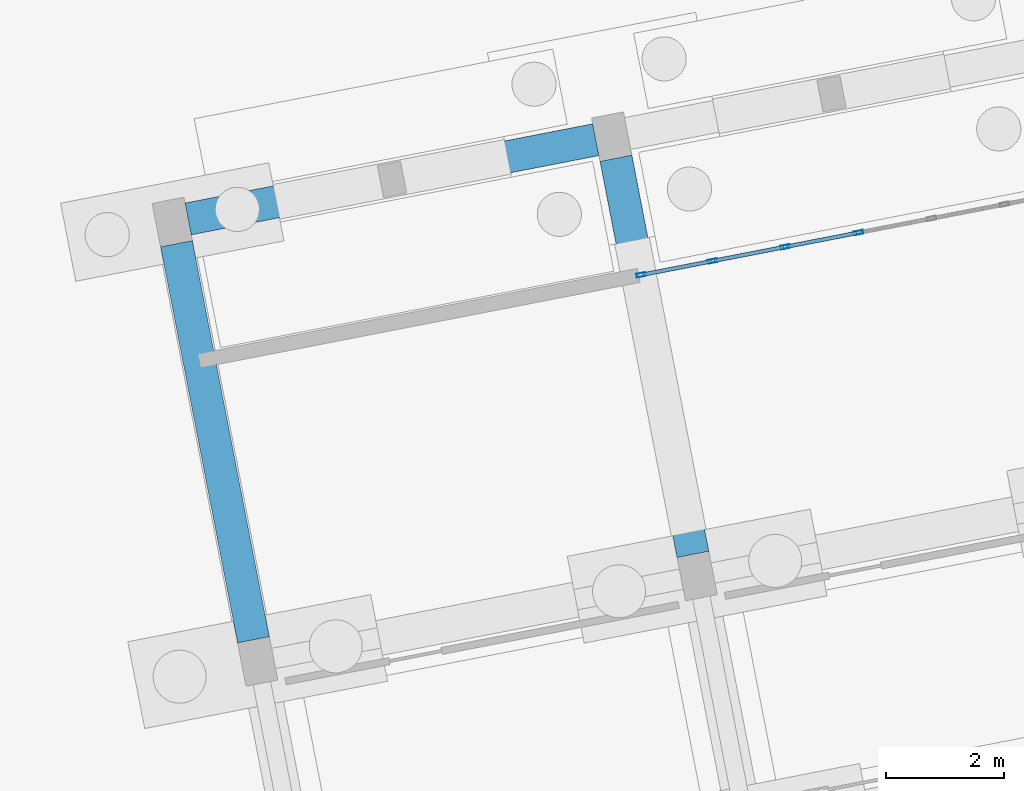
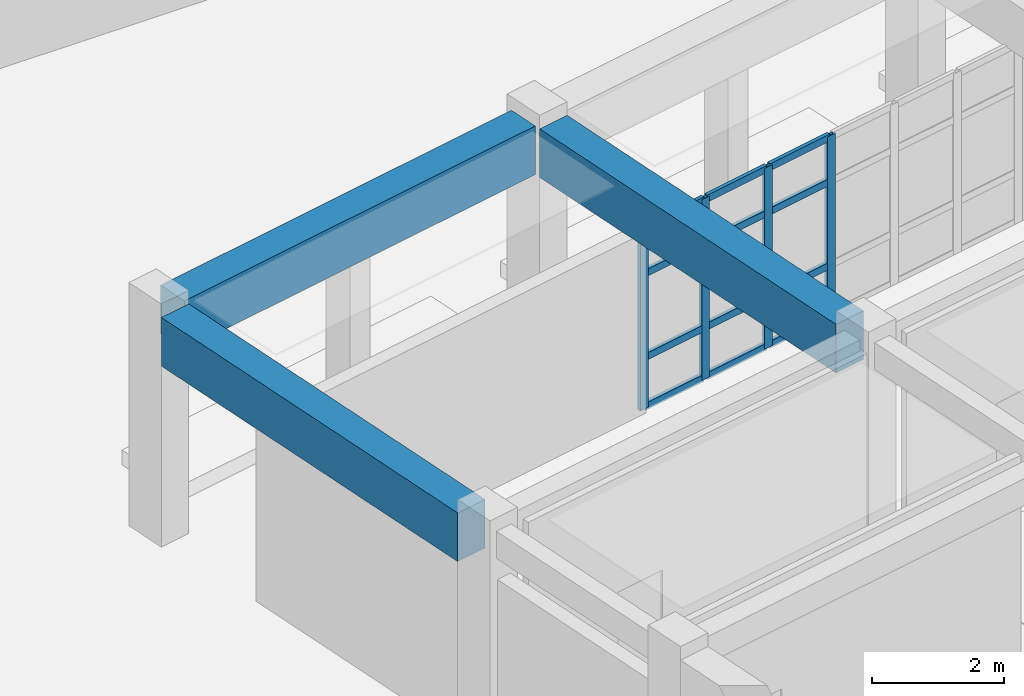
# One storey, part 57 of 154: 16 members, 3 beams, 1 element without a shape of its own.
"""IFC4 building model written with IfcOpenShell, lengths in metres."""

from ifc_helpers import new_model, si_unit, direction, frame, origin, origin_2d, place, context, subcontext, project, spatial, rectangle, hollow_rectangle, extrude, material, material_profile, profile_set, type_object, element, aggregate, save


model = new_model("IFC4")

# Units and contexts
model_context = context("Model", 3, precision=1e-05, world=origin(), true_north=direction((0.0, 1.0)))
body_context = subcontext(model_context, "Body", "Model", "MODEL_VIEW")
ifc_project = project(units=[si_unit("LENGTHUNIT", "METRE"), si_unit("AREAUNIT", "SQUARE_METRE"), si_unit("VOLUMEUNIT", "CUBIC_METRE"), si_unit("PLANEANGLEUNIT", "RADIAN"), si_unit("MASSUNIT", "GRAM", prefix="KILO")], contexts=[model_context])

# Site, building, storey
site_placement = place(None, origin())
site = spatial("IfcSite", under=ifc_project, at=site_placement, CompositionType="ELEMENT")
building_placement = place(site_placement, origin())
building = spatial("IfcBuilding", under=site, at=building_placement, Name="Kestramere Prow Commons", CompositionType="ELEMENT")
storey_placement = place(building_placement, origin())
storey = spatial("IfcBuildingStorey", under=building, at=storey_placement, Name="L00", CompositionType="ELEMENT", Elevation=0.0)

# Curtain wall, members
ifc_material_1 = material(Name="Anodised Aluminium and Low-E Glass", Category="aluminium")
curtain_wall_type = type_object("IfcCurtainWallType", Name="CW-07 Glazed Curtain Wall 7580x3350", PredefinedType="USERDEFINED", material=ifc_material_1)
curtain_wall_placement = place(storey_placement, origin())
curtain_wall = element("IfcCurtainWall", 1, at=curtain_wall_placement, inside=storey, type_object=curtain_wall_type, Name="Block D L00 North Courtyard Storefront 2", ObjectType="GLAZED CURTAIN WALL", PredefinedType="USERDEFINED")
ifc_material_2 = material(Name="Anodised Aluminium 6063-T6", Category="aluminium")
ifc_material_profile_1 = material_profile(ifc_material_2, hollow_rectangle(XDim=0.06494140625, YDim=0.159912109375, WallThickness=0.00390625, at=origin_2d()), Name="ALU-MUL 65x160")
ifc_profile_set_1 = profile_set([ifc_material_profile_1], Name="Anodised Aluminium 6063-T6")
member_type_1 = type_object("IfcMemberType", Name="CW-MUL-65x160", PredefinedType="MULLION", material=ifc_profile_set_1)
member_1_placement = place(storey_placement, frame((122.6201171875, 52.34228515625, 0.0), z_axis=(0.0, 0.0, 1.0), x_axis=(-0.190808973121, 0.981627187774, 0.0)))
member_1 = element("IfcMember", 2, at=member_1_placement, type_object=member_type_1, Name="CW-07 mullion 1", PredefinedType="MULLION", context=body_context, shape_type="SweptSolid", body=[
    extrude(hollow_rectangle(XDim=0.06494140625, YDim=0.159912109375, WallThickness=0.00390625, at=origin_2d()), origin(), (0.0, 0.0, 1.0), 3.35009765625),
])
member_2_placement = place(storey_placement, frame((123.828369140625, 52.5771484375, 0.0), z_axis=(0.0, 0.0, 1.0), x_axis=(-0.190808973121, 0.981627187774, 0.0)))
member_2 = element("IfcMember", 3, at=member_2_placement, type_object=member_type_1, Name="CW-07 mullion 2", PredefinedType="MULLION", context=body_context, shape_type="SweptSolid", body=[
    extrude(hollow_rectangle(XDim=0.06494140625, YDim=0.159912109375, WallThickness=0.00390625, at=origin_2d()), origin(), (0.0, 0.0, 1.0), 3.35009765625),
])
member_3_placement = place(storey_placement, frame((125.068603515625, 52.818115234375, 0.0), z_axis=(0.0, 0.0, 1.0), x_axis=(-0.190808973121, 0.981627187774, 0.0)))
member_3 = element("IfcMember", 4, at=member_3_placement, type_object=member_type_1, Name="CW-07 mullion 3", PredefinedType="MULLION", context=body_context, shape_type="SweptSolid", body=[
    extrude(hollow_rectangle(XDim=0.06494140625, YDim=0.159912109375, WallThickness=0.00390625, at=origin_2d()), origin(), (0.0, 0.0, 1.0), 3.35009765625),
])
member_4_placement = place(storey_placement, frame((126.30859375, 53.059326171875, 0.0), z_axis=(0.0, 0.0, 1.0), x_axis=(-0.190808973121, 0.981627187774, 0.0)))
member_4 = element("IfcMember", 5, at=member_4_placement, type_object=member_type_1, Name="CW-07 mullion 4", PredefinedType="MULLION", context=body_context, shape_type="SweptSolid", body=[
    extrude(hollow_rectangle(XDim=0.06494140625, YDim=0.159912109375, WallThickness=0.00390625, at=origin_2d()), origin(), (0.0, 0.0, 1.0), 3.35009765625),
])
ifc_material_profile_2 = material_profile(ifc_material_2, hollow_rectangle(XDim=0.06494140625, YDim=0.1298828125, WallThickness=0.00390625, at=origin_2d()), Name="ALU-TRN 65x130")
ifc_profile_set_2 = profile_set([ifc_material_profile_2], Name="Anodised Aluminium 6063-T6")
member_type_2 = type_object("IfcMemberType", Name="CW-TRN-65x130", PredefinedType="USERDEFINED", material=ifc_profile_set_2)
member_5_placement = place(storey_placement, frame((122.652099609375, 52.348388671875, 0.032470703125), z_axis=(0.981629557026, 0.190796783967, 0.0), x_axis=(-0.190796783967, 0.981629557026, 0.0)))
member_5 = element("IfcMember", 6, at=member_5_placement, type_object=member_type_2, Name="CW-07 transom 1.1", ObjectType="TRANSOM", PredefinedType="USERDEFINED", context=body_context, shape_type="SweptSolid", body=[
    extrude(hollow_rectangle(XDim=0.06494140625, YDim=0.1298828125, WallThickness=0.00390625, at=origin_2d()), origin(), (0.0, 0.0, 1.0), 1.165771484375),
])
member_6_placement = place(storey_placement, frame((122.652099609375, 52.348388671875, 0.949951171875), z_axis=(0.981629557026, 0.190796783967, 0.0), x_axis=(-0.190796783967, 0.981629557026, 0.0)))
member_6 = element("IfcMember", 7, at=member_6_placement, type_object=member_type_2, Name="CW-07 transom 1.2", ObjectType="TRANSOM", PredefinedType="USERDEFINED", context=body_context, shape_type="SweptSolid", body=[
    extrude(hollow_rectangle(XDim=0.06494140625, YDim=0.1298828125, WallThickness=0.00390625, at=origin_2d()), origin(), (0.0, 0.0, 1.0), 1.165771484375),
])
member_7_placement = place(storey_placement, frame((122.652099609375, 52.348388671875, 2.5), z_axis=(0.981629557026, 0.190796783967, 0.0), x_axis=(-0.190796783967, 0.981629557026, 0.0)))
member_7 = element("IfcMember", 8, at=member_7_placement, type_object=member_type_2, Name="CW-07 transom 1.3", ObjectType="TRANSOM", PredefinedType="USERDEFINED", context=body_context, shape_type="SweptSolid", body=[
    extrude(hollow_rectangle(XDim=0.06494140625, YDim=0.1298828125, WallThickness=0.00390625, at=origin_2d()), origin(), (0.0, 0.0, 1.0), 1.165771484375),
])
member_8_placement = place(storey_placement, frame((122.652099609375, 52.348388671875, 3.3173828125), z_axis=(0.981629557026, 0.190796783967, 0.0), x_axis=(-0.190796783967, 0.981629557026, 0.0)))
member_8 = element("IfcMember", 9, at=member_8_placement, type_object=member_type_2, Name="CW-07 transom 1.4", ObjectType="TRANSOM", PredefinedType="USERDEFINED", context=body_context, shape_type="SweptSolid", body=[
    extrude(hollow_rectangle(XDim=0.06494140625, YDim=0.1298828125, WallThickness=0.00390625, at=origin_2d()), origin(), (0.0, 0.0, 1.0), 1.165771484375),
])
member_9_placement = place(storey_placement, frame((123.8603515625, 52.583251953125, 0.032470703125), z_axis=(0.981609027049, 0.190902378237, 0.0), x_axis=(-0.190902378237, 0.981609027049, 0.0)))
member_9 = element("IfcMember", 10, at=member_9_placement, type_object=member_type_2, Name="CW-07 transom 2.1", ObjectType="TRANSOM", PredefinedType="USERDEFINED", context=body_context, shape_type="SweptSolid", body=[
    extrude(hollow_rectangle(XDim=0.06494140625, YDim=0.1298828125, WallThickness=0.00390625, at=origin_2d()), origin(), (0.0, 0.0, 1.0), 1.1982421875),
])
member_10_placement = place(storey_placement, frame((123.8603515625, 52.583251953125, 0.949951171875), z_axis=(0.981609027049, 0.190902378237, 0.0), x_axis=(-0.190902378237, 0.981609027049, 0.0)))
member_10 = element("IfcMember", 11, at=member_10_placement, type_object=member_type_2, Name="CW-07 transom 2.2", ObjectType="TRANSOM", PredefinedType="USERDEFINED", context=body_context, shape_type="SweptSolid", body=[
    extrude(hollow_rectangle(XDim=0.06494140625, YDim=0.1298828125, WallThickness=0.00390625, at=origin_2d()), origin(), (0.0, 0.0, 1.0), 1.1982421875),
])
member_11_placement = place(storey_placement, frame((123.8603515625, 52.583251953125, 2.5), z_axis=(0.981609027049, 0.190902378237, 0.0), x_axis=(-0.190902378237, 0.981609027049, 0.0)))
member_11 = element("IfcMember", 12, at=member_11_placement, type_object=member_type_2, Name="CW-07 transom 2.3", ObjectType="TRANSOM", PredefinedType="USERDEFINED", context=body_context, shape_type="SweptSolid", body=[
    extrude(hollow_rectangle(XDim=0.06494140625, YDim=0.1298828125, WallThickness=0.00390625, at=origin_2d()), origin(), (0.0, 0.0, 1.0), 1.1982421875),
])
member_12_placement = place(storey_placement, frame((123.8603515625, 52.583251953125, 3.3173828125), z_axis=(0.981609027049, 0.190902378237, 0.0), x_axis=(-0.190902378237, 0.981609027049, 0.0)))
member_12 = element("IfcMember", 13, at=member_12_placement, type_object=member_type_2, Name="CW-07 transom 2.4", ObjectType="TRANSOM", PredefinedType="USERDEFINED", context=body_context, shape_type="SweptSolid", body=[
    extrude(hollow_rectangle(XDim=0.06494140625, YDim=0.1298828125, WallThickness=0.00390625, at=origin_2d()), origin(), (0.0, 0.0, 1.0), 1.1982421875),
])
member_13_placement = place(storey_placement, frame((125.100341796875, 52.824462890625, 0.032470703125), z_axis=(0.981647187644, 0.190706053889, 0.0), x_axis=(-0.190706053889, 0.981647187644, 0.0)))
member_13 = element("IfcMember", 14, at=member_13_placement, type_object=member_type_2, Name="CW-07 transom 3.1", ObjectType="TRANSOM", PredefinedType="USERDEFINED", context=body_context, shape_type="SweptSolid", body=[
    extrude(hollow_rectangle(XDim=0.06494140625, YDim=0.1298828125, WallThickness=0.00390625, at=origin_2d()), origin(), (0.0, 0.0, 1.0), 1.1982421875),
])
member_14_placement = place(storey_placement, frame((125.100341796875, 52.824462890625, 0.949951171875), z_axis=(0.981647187644, 0.190706053889, 0.0), x_axis=(-0.190706053889, 0.981647187644, 0.0)))
member_14 = element("IfcMember", 15, at=member_14_placement, type_object=member_type_2, Name="CW-07 transom 3.2", ObjectType="TRANSOM", PredefinedType="USERDEFINED", context=body_context, shape_type="SweptSolid", body=[
    extrude(hollow_rectangle(XDim=0.06494140625, YDim=0.1298828125, WallThickness=0.00390625, at=origin_2d()), origin(), (0.0, 0.0, 1.0), 1.1982421875),
])
member_15_placement = place(storey_placement, frame((125.100341796875, 52.824462890625, 2.5), z_axis=(0.981647187644, 0.190706053889, 0.0), x_axis=(-0.190706053889, 0.981647187644, 0.0)))
member_15 = element("IfcMember", 16, at=member_15_placement, type_object=member_type_2, Name="CW-07 transom 3.3", ObjectType="TRANSOM", PredefinedType="USERDEFINED", context=body_context, shape_type="SweptSolid", body=[
    extrude(hollow_rectangle(XDim=0.06494140625, YDim=0.1298828125, WallThickness=0.00390625, at=origin_2d()), origin(), (0.0, 0.0, 1.0), 1.1982421875),
])
member_16_placement = place(storey_placement, frame((125.100341796875, 52.824462890625, 3.3173828125), z_axis=(0.981647187644, 0.190706053889, 0.0), x_axis=(-0.190706053889, 0.981647187644, 0.0)))
member_16 = element("IfcMember", 17, at=member_16_placement, type_object=member_type_2, Name="CW-07 transom 3.4", ObjectType="TRANSOM", PredefinedType="USERDEFINED", context=body_context, shape_type="SweptSolid", body=[
    extrude(hollow_rectangle(XDim=0.06494140625, YDim=0.1298828125, WallThickness=0.00390625, at=origin_2d()), origin(), (0.0, 0.0, 1.0), 1.1982421875),
])
aggregate(curtain_wall, [member_1, member_2, member_3, member_4, member_5, member_6, member_7, member_8, member_9, member_10, member_11, member_12, member_13, member_14, member_15, member_16])

# Beams
ifc_material_3 = material(Name="Precast concrete C40/50", Category="concrete")
ifc_material_profile_3 = material_profile(ifc_material_3, rectangle(XDim=0.550048828125, YDim=0.89990234375, at=origin_2d()), Name="PC-TG 550x900")
ifc_profile_set_3 = profile_set([ifc_material_profile_3], Name="Precast concrete C40/50")
beam_type = type_object("IfcBeamType", Name="TG-01 PC-TG 550x900 (EX)", PredefinedType="BEAM", material=ifc_profile_set_3)
beam_1_placement = place(storey_placement, frame((114.93017578125, 53.29248046875, 3.800048828125), z_axis=(0.981633048252, 0.190778821097, 0.0), x_axis=(-0.190778821097, 0.981633048252, 0.0)))
element("IfcBeam", 18, at=beam_1_placement, inside=storey, type_object=beam_type, Name="Block D L00 Longitudinal Beam 4-1", PredefinedType="BEAM", context=body_context, shape_type="SweptSolid", body=[
    extrude(rectangle(XDim=0.550048828125, YDim=0.89990234375, at=origin_2d()), origin(), (0.0, 0.0, 1.0), 7.0498046875),
])
beam_2_placement = place(storey_placement, frame((116.038818359375, 46.147705078125, 3.800048828125), z_axis=(-0.190821960873, 0.981624663122, 0.0), x_axis=(-0.981624663122, -0.190821960873, 0.0)))
element("IfcBeam", 19, at=beam_2_placement, inside=storey, type_object=beam_type, Name="Block D L00 N Colonnade Transfer Girder 1", PredefinedType="BEAM", context=body_context, shape_type="SweptSolid", body=[
    extrude(rectangle(XDim=0.550048828125, YDim=0.89990234375, at=origin_2d()), origin(), (0.0, 0.0, 1.0), 6.85009765625),
])
beam_3_placement = place(storey_placement, frame((123.4990234375, 47.597900390625, 3.800048828125), z_axis=(-0.19078761731, 0.981631338681, 0.0), x_axis=(-0.981631338681, -0.19078761731, 0.0)))
element("IfcBeam", 20, at=beam_3_placement, inside=storey, type_object=beam_type, Name="Block D L00 N Colonnade Transfer Girder 2", PredefinedType="BEAM", context=body_context, shape_type="SweptSolid", body=[
    extrude(rectangle(XDim=0.550048828125, YDim=0.89990234375, at=origin_2d()), origin(), (0.0, 0.0, 1.0), 6.849853515625),
])

save(model, "model.ifc")
